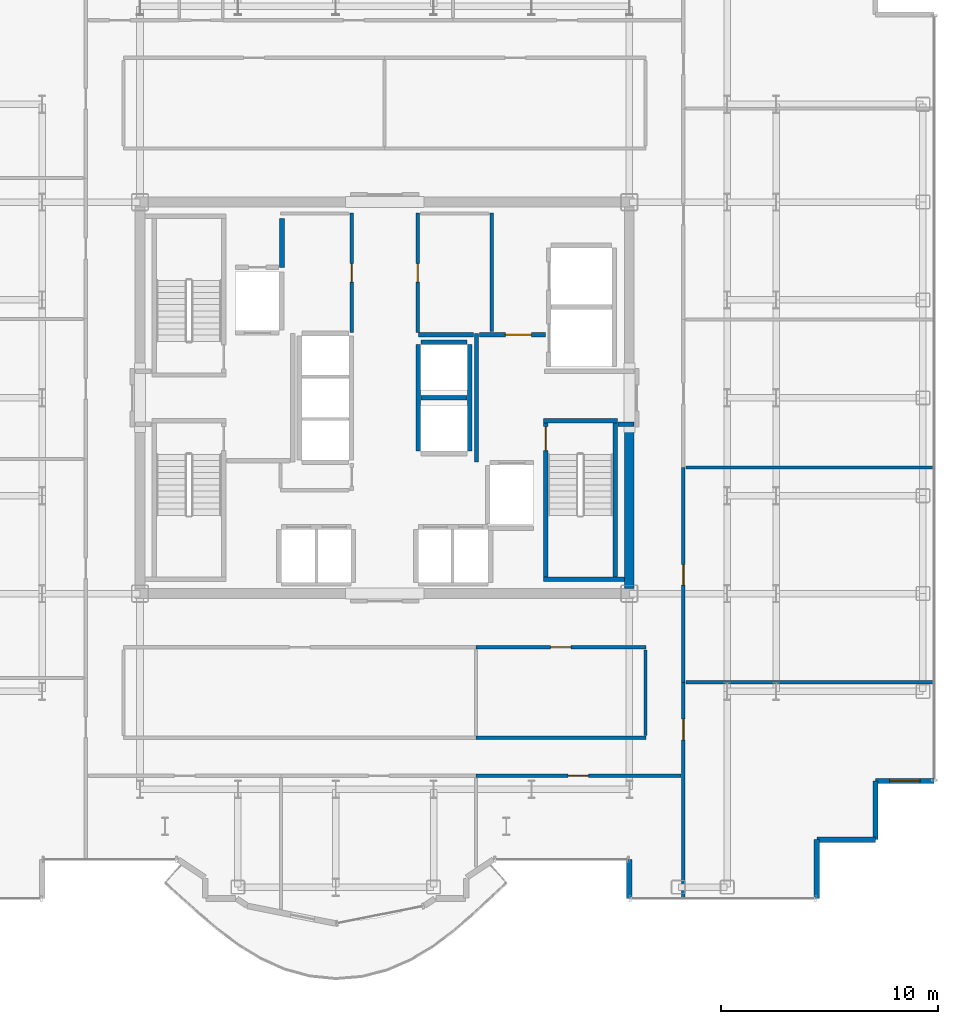
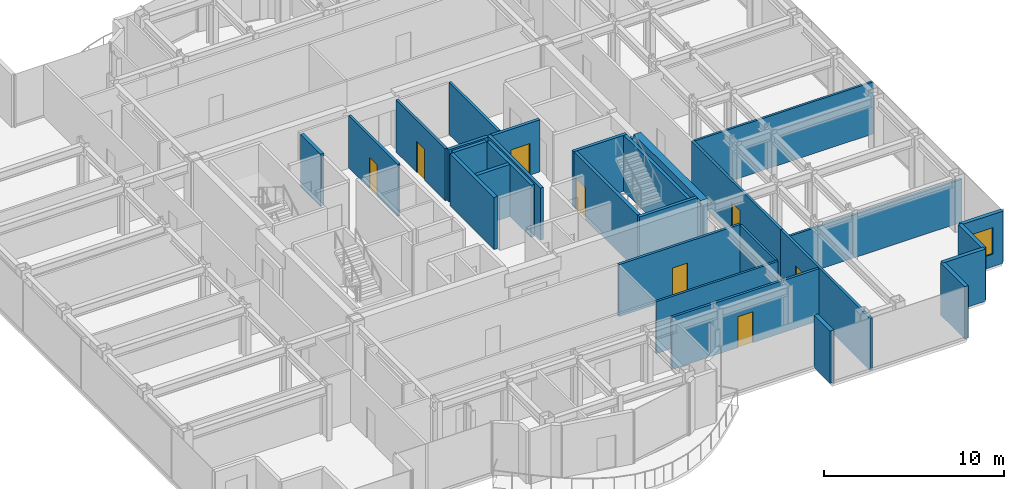
# One storey, part 16 of 20: 30 walls, 8 doors, 1 window, 9 openings.
"""IFC4 building model written with IfcOpenShell, lengths in metres."""

from ifc_helpers import new_model, si_unit, direction, frame, frame_2d, origin, place, context, subcontext, project, spatial, rectangle, extrude, source, transform, mapped, material, layer, layer_set, type_object, element, fill, save


model = new_model("IFC4")

# Units and contexts
model_context = context("Model", 3, precision=1e-05, world=origin(), true_north=direction((0.0, 1.0)))
body_context = subcontext(model_context, "Body", "Model", "MODEL_VIEW")
ifc_project = project(units=[si_unit("LENGTHUNIT", "METRE"), si_unit("AREAUNIT", "SQUARE_METRE"), si_unit("VOLUMEUNIT", "CUBIC_METRE"), si_unit("PLANEANGLEUNIT", "RADIAN"), si_unit("MASSUNIT", "GRAM", prefix="KILO")], contexts=[model_context])

# Site, building, storey
site_placement = place(None, origin())
site = spatial("IfcSite", under=ifc_project, at=site_placement, CompositionType="ELEMENT")
building_placement = place(site_placement, origin())
building = spatial("IfcBuilding", under=site, at=building_placement, Name="Nefas-Gora Pilgrimage Tower", CompositionType="ELEMENT")
storey_placement = place(building_placement, frame((0.0, 0.0, 225.60009765625)))
storey = spatial("IfcBuildingStorey", under=building, at=storey_placement, Name="L56", CompositionType="ELEMENT", Elevation=225.60009765625)

# Walls
ifc_material_1 = material(Name="Concrete C50/60", Category="concrete")
ifc_layer_1 = layer(ifc_material_1, 0.449951171875)
ifc_layer_set_1 = layer_set([ifc_layer_1], Name="Concrete C50/60")
wall_type_1 = type_object("IfcWallType", Name="SW-CORE-450", PredefinedType="SHEAR", material=ifc_layer_set_1)
shared_shape_1 = source(origin(), body_context, "Body", "SweptSolid", [
    extrude(rectangle(XDim=7.4248046875, YDim=0.449951171875, at=frame_2d((3.71240234375, 0.0))), origin(), (0.0, 0.0, 1.0), 3.7998046875),
])
wall_1_placement = place(storey_placement, frame((11.25, -8.77490234375, 0.0), z_axis=(0.0, 0.0, 1.0), x_axis=(0.0, 1.0, 0.0)))
element("IfcWall", 1, at=wall_1_placement, inside=storey, type_object=wall_type_1, Name="L56 Core Shear Wall E-South", PredefinedType="SHEAR", context=body_context, shape_type="MappedRepresentation", body=[
    mapped(shared_shape_1, transform((0.0, 0.0, 0.0), x_axis=(1.0, 0.0, 0.0), y_axis=(0.0, 1.0, 0.0), z_axis=(0.0, 0.0, 1.0), scale=1.0)),
])
ifc_material_2 = material(Name="Precast concrete C40/50", Category="concrete")
ifc_layer_2 = layer(ifc_material_2, 0.260009765625)
ifc_layer_set_2 = layer_set([ifc_layer_2], Name="Precast concrete C40/50")
wall_type_2 = type_object("IfcWallType", Name="EW-PORTAL-260", PredefinedType="SOLIDWALL", material=ifc_layer_set_2)
shared_shape_2 = source(origin(), body_context, "Body", "SweptSolid", [
    extrude(rectangle(XDim=1.800048828125, YDim=0.260009765625, at=frame_2d((0.89990234375, 0.0))), origin(), (0.0, 0.0, 1.0), 3.5498046875),
])
wall_2_placement = place(storey_placement, frame((11.25, -21.219970703125, 0.0), z_axis=(0.0, 0.0, 1.0), x_axis=(0.0, -1.0, 0.0)))
element("IfcWall", 2, at=wall_2_placement, inside=storey, type_object=wall_type_2, Name="L56 Lobe Shoulder Precast Spandrel Pier 1", PredefinedType="SOLIDWALL", context=body_context, shape_type="MappedRepresentation", body=[
    mapped(shared_shape_2, transform((0.0, 0.0, 0.0), x_axis=(1.0, 0.0, 0.0), y_axis=(0.0, 1.0, 0.0), z_axis=(0.0, 0.0, 1.0), scale=1.0)),
])
ifc_material_3 = material(Name="Precast concrete C45/55", Category="concrete")
ifc_layer_3 = layer(ifc_material_3, 0.239990234375)
ifc_layer_set_3 = layer_set([ifc_layer_3], Name="Precast concrete C45/55")
wall_type_3 = type_object("IfcWallType", Name="EW-SERR-240", PredefinedType="SHEAR", material=ifc_layer_set_3)
shared_shape_3 = source(origin(), body_context, "Body", "SweptSolid", [
    extrude(rectangle(XDim=2.699951171875, YDim=0.239990234375, at=frame_2d((1.35009765625, 0.0))), origin(), (0.0, 0.0, 1.0), 3.5498046875),
])
for number, where, z_axis, x_axis, name in (
    (3, (19.8701171875, -23.02001953125, 0.0), (0.0, 0.0, 1.0), (0.0, 1.0, 0.0), "L56 Serrated Corner Shear Pier Wall 2"),
    (4, (19.8701171875, -20.320068359375, 0.0), (0.0, 0.0, 1.0), (1.0, 0.0, 0.0), "L56 Serrated Corner Shear Pier Wall 3"),
    (5, (22.570068359375, -20.320068359375, 0.0), (0.0, 0.0, 1.0), (0.0, 1.0, 0.0), "L56 Serrated Corner Shear Pier Wall 4"),
):
    element("IfcWall", number, at=place(storey_placement, frame(where, z_axis=z_axis, x_axis=x_axis)), inside=storey, type_object=wall_type_3, Name=name, PredefinedType="SHEAR", context=body_context, shape_type="MappedRepresentation", body=[
        mapped(shared_shape_3, transform((0.0, 0.0, 0.0), x_axis=(1.0, 0.0, 0.0), y_axis=(0.0, 1.0, 0.0), z_axis=(0.0, 0.0, 1.0), scale=1.0)),
    ])

# Wall, opening, window
wall_3_placement = place(storey_placement, frame((22.570068359375, -17.6201171875, 0.0), z_axis=(0.0, 0.0, 1.0), x_axis=(1.0, 0.0, 0.0)))
wall_3 = element("IfcWall", 6, at=wall_3_placement, inside=storey, type_object=wall_type_3, Name="L56 Serrated Corner Shear Pier Wall 5", PredefinedType="SHEAR", context=body_context, shape_type="MappedRepresentation", body=[
    mapped(shared_shape_3, transform((0.0, 0.0, 0.0), x_axis=(1.0, 0.0, 0.0), y_axis=(0.0, 1.0, 0.0), z_axis=(0.0, 0.0, 1.0), scale=1.0)),
])
opening_1_placement = place(wall_3_placement, frame((0.64990234375, 0.0, 0.85009765625)))
opening_1 = element("IfcOpeningElement", 7, at=opening_1_placement, cuts=wall_3, Name="Opening W-V2", PredefinedType="OPENING", context=body_context, shape_type="SweptSolid", body=[
    extrude(rectangle(XDim=1.39990234375, YDim=1.800048828125, at=frame_2d((0.699951171875, 0.89990234375))), frame((0.0, 0.1298828125, 0.0), z_axis=(0.0, -1.0, 0.0), x_axis=(1.0, 0.0, 0.0)), (0.0, 0.0, 1.0), 0.260009765625),
])
ifc_material_4 = material(Name="Dark ceramic-fritted operable aluminium-glass window", Category="aluminium")
window_type = type_object("IfcWindowType", Name="WIN-VENT-1400x1800", PartitioningType="SINGLE_PANEL", PredefinedType="WINDOW", material=ifc_material_4)
shared_shape_4 = source(origin(), body_context, "Body", "SweptSolid", [
    extrude(rectangle(XDim=1.39990234375, YDim=1.800048828125, at=frame_2d((0.699951171875, 0.89990234375))), frame((0.0, 0.030029296875, 0.0), z_axis=(0.0, -1.0, 0.0), x_axis=(1.0, 0.0, 0.0)), (0.0, 0.0, 1.0), 0.06005859375),
])
window_placement = place(opening_1_placement, origin())
window = element("IfcWindow", 8, at=window_placement, inside=storey, type_object=window_type, Name="L56 Operable Parallel-Outswing Window 5", OverallHeight=1.800048828125, OverallWidth=1.39990234375, PartitioningType="SINGLE_PANEL", PredefinedType="WINDOW", context=body_context, shape_type="MappedRepresentation", body=[
    mapped(shared_shape_4, transform((0.0, 0.0, 0.0), x_axis=(1.0, 0.0, 0.0), y_axis=(0.0, 1.0, 0.0), z_axis=(0.0, 0.0, 1.0), scale=1.0)),
])
fill(opening_1, window)

# Wall
ifc_material_5 = material(Name="Concrete C45/55", Category="concrete")
ifc_layer_4 = layer(ifc_material_5, 0.199951171875)
ifc_layer_set_4 = layer_set([ifc_layer_4], Name="Concrete C45/55")
wall_type_4 = type_object("IfcWallType", Name="IW-STAIR-200", PredefinedType="SOLIDWALL", material=ifc_layer_set_4)
shared_shape_5 = source(origin(), body_context, "Body", "SweptSolid", [
    extrude(rectangle(XDim=3.39990234375, YDim=0.199951171875, at=frame_2d((1.699951171875, 0.0))), origin(), (0.0, 0.0, 1.0), 3.7998046875),
])
wall_4_placement = place(storey_placement, frame((7.300048828125, -1.050048828125, 0.0), z_axis=(0.0, 0.0, 1.0), x_axis=(1.0, 0.0, 0.0)))
element("IfcWall", 9, at=wall_4_placement, inside=storey, type_object=wall_type_4, Name="L56 Stairwell Shear Wall ST-02-near", PredefinedType="SOLIDWALL", context=body_context, shape_type="MappedRepresentation", body=[
    mapped(shared_shape_5, transform((0.0, 0.0, 0.0), x_axis=(1.0, 0.0, 0.0), y_axis=(0.0, 1.0, 0.0), z_axis=(0.0, 0.0, 1.0), scale=1.0)),
])

# Wall, opening, door
shared_shape_6 = source(origin(), body_context, "Body", "SweptSolid", [
    extrude(rectangle(XDim=7.10009765625, YDim=0.199951171875, at=frame_2d((3.550048828125, 0.0))), origin(), (0.0, 0.0, 1.0), 3.7998046875),
])
wall_5_placement = place(storey_placement, frame((7.39990234375, -1.14990234375, 0.0), z_axis=(0.0, 0.0, 1.0), x_axis=(0.0, -1.0, 0.0)))
wall_5 = element("IfcWall", 10, at=wall_5_placement, inside=storey, type_object=wall_type_4, Name="L56 Stairwell Shear Wall ST-02-left", PredefinedType="SOLIDWALL", context=body_context, shape_type="MappedRepresentation", body=[
    mapped(shared_shape_6, transform((0.0, 0.0, 0.0), x_axis=(1.0, 0.0, 0.0), y_axis=(0.0, 1.0, 0.0), z_axis=(0.0, 0.0, 1.0), scale=1.0)),
])
opening_2_placement = place(wall_5_placement, frame((0.179931640625, 0.0, 0.0)))
opening_2 = element("IfcOpeningElement", 11, at=opening_2_placement, cuts=wall_5, Name="Opening ID-ST1", PredefinedType="OPENING", context=body_context, shape_type="SweptSolid", body=[
    extrude(rectangle(XDim=1.10009765625, YDim=2.14990234375, at=frame_2d((0.550048828125, 1.074951171875))), frame((0.0, 0.10986328125, 0.0), z_axis=(0.0, -1.0, 0.0), x_axis=(1.0, 0.0, 0.0)), (0.0, 0.0, 1.0), 0.219970703125),
])
ifc_material_6 = material(Name="Painted galvanised steel fire stair door", Category="steel")
door_type_1 = type_object("IfcDoorType", Name="DR-INT-STAIR-1100", OperationType="NOTDEFINED", PredefinedType="DOOR", material=ifc_material_6)
shared_shape_7 = source(origin(), body_context, "Body", "SweptSolid", [
    extrude(rectangle(XDim=1.10009765625, YDim=2.14990234375, at=frame_2d((0.550048828125, 1.074951171875))), frame((0.0, 0.02490234375, 0.0), z_axis=(0.0, -1.0, 0.0), x_axis=(1.0, 0.0, 0.0)), (0.0, 0.0, 1.0), 0.050048828125),
])
door_1_placement = place(opening_2_placement, origin())
door_1 = element("IfcDoor", 12, at=door_1_placement, inside=storey, type_object=door_type_1, Name="L56 Protected Exit Stair Door ST-02", OperationType="SINGLE_SWING_LEFT", OverallHeight=2.14990234375, OverallWidth=1.10009765625, PredefinedType="DOOR", context=body_context, shape_type="MappedRepresentation", body=[
    mapped(shared_shape_7, transform((0.0, 0.0, 0.0), x_axis=(1.0, 0.0, 0.0), y_axis=(0.0, 1.0, 0.0), z_axis=(0.0, 0.0, 1.0), scale=1.0)),
])
fill(opening_2, door_1)

# Walls
wall_6_placement = place(storey_placement, frame((10.60009765625, -1.14990234375, 0.0), z_axis=(0.0, 0.0, 1.0), x_axis=(0.0, -1.0, 0.0)))
element("IfcWall", 13, at=wall_6_placement, inside=storey, type_object=wall_type_4, Name="L56 Stairwell Shear Wall ST-02-right", PredefinedType="SOLIDWALL", context=body_context, shape_type="MappedRepresentation", body=[
    mapped(shared_shape_6, transform((0.0, 0.0, 0.0), x_axis=(1.0, 0.0, 0.0), y_axis=(0.0, 1.0, 0.0), z_axis=(0.0, 0.0, 1.0), scale=1.0)),
])
shared_shape_8 = source(origin(), body_context, "Body", "SweptSolid", [
    extrude(rectangle(XDim=3.72998046875, YDim=0.199951171875, at=frame_2d((1.864990234375, 0.0))), origin(), (0.0, 0.0, 1.0), 3.7998046875),
])
wall_7_placement = place(storey_placement, frame((7.300048828125, -8.35009765625, 0.0), z_axis=(0.0, 0.0, 1.0), x_axis=(1.0, 0.0, 0.0)))
element("IfcWall", 14, at=wall_7_placement, inside=storey, type_object=wall_type_4, Name="L56 Stairwell Shear Wall ST-02-far", PredefinedType="SOLIDWALL", context=body_context, shape_type="MappedRepresentation", body=[
    mapped(shared_shape_8, transform((0.0, 0.0, 0.0), x_axis=(1.0, 0.0, 0.0), y_axis=(0.0, 1.0, 0.0), z_axis=(0.0, 0.0, 1.0), scale=1.0)),
])
ifc_material_7 = material(Name="Concrete C40/50", Category="concrete")
ifc_layer_5 = layer(ifc_material_7, 0.219970703125)
ifc_layer_set_5 = layer_set([ifc_layer_5], Name="Concrete C40/50")
wall_type_5 = type_object("IfcWallType", Name="IW-SHAFT-220", PredefinedType="SOLIDWALL", material=ifc_layer_set_5)
shared_shape_9 = source(origin(), body_context, "Body", "SweptSolid", [
    extrude(rectangle(XDim=2.130126953125, YDim=0.219970703125, at=frame_2d((1.06494140625, 0.0))), origin(), (0.0, 0.0, 1.0), 3.534912109375),
])
for number, where, z_axis, x_axis, name in (
    (15, (1.659912109375, 0.0, 0.0), (0.0, 0.0, 1.0), (1.0, 0.0, 0.0), "L56 Hoistway Wall OBS-01-02-DIV"),
    (16, (3.7900390625, 2.56005859375, 0.0), (0.0, 0.0, 1.0), (-1.0, 0.0, 0.0), "L56 Hoistway Wall OBS-02-N"),
):
    element("IfcWall", number, at=place(storey_placement, frame(where, z_axis=z_axis, x_axis=x_axis)), inside=storey, type_object=wall_type_5, Name=name, PredefinedType="SOLIDWALL", context=body_context, shape_type="MappedRepresentation", body=[
        mapped(shared_shape_9, transform((0.0, 0.0, 0.0), x_axis=(1.0, 0.0, 0.0), y_axis=(0.0, 1.0, 0.0), z_axis=(0.0, 0.0, 1.0), scale=1.0)),
    ])
shared_shape_10 = source(origin(), body_context, "Body", "SweptSolid", [
    extrude(rectangle(XDim=4.89990234375, YDim=0.219970703125, at=frame_2d((2.449951171875, 0.0))), origin(), (0.0, 0.0, 1.0), 3.534912109375),
])
for number, where, z_axis, x_axis, name in (
    (17, (1.5400390625, 2.449951171875, 0.0), (0.0, 0.0, 1.0), (0.0, -1.0, 0.0), "L56 Hoistway Wall OBS-01-02-W"),
    (18, (3.909912109375, -2.449951171875, 0.0), (0.0, 0.0, 1.0), (0.0, 1.0, 0.0), "L56 Hoistway Wall OBS-01-02-E"),
):
    element("IfcWall", number, at=place(storey_placement, frame(where, z_axis=z_axis, x_axis=x_axis)), inside=storey, type_object=wall_type_5, Name=name, PredefinedType="SOLIDWALL", context=body_context, shape_type="MappedRepresentation", body=[
        mapped(shared_shape_10, transform((0.0, 0.0, 0.0), x_axis=(1.0, 0.0, 0.0), y_axis=(0.0, 1.0, 0.0), z_axis=(0.0, 0.0, 1.0), scale=1.0)),
    ])
ifc_material_8 = material(Name="Gypsum fire-rated shaftwall")
ifc_layer_6 = layer(ifc_material_8, 0.199951171875)
ifc_layer_set_6 = layer_set([ifc_layer_6], Name="Gypsum fire-rated shaftwall")
wall_type_6 = type_object("IfcWallType", Name="IW-FFLOB-200", PredefinedType="PARTITIONING", material=ifc_layer_set_6)
shared_shape_11 = source(origin(), body_context, "Body", "SweptSolid", [
    extrude(rectangle(XDim=5.89990234375, YDim=0.199951171875, at=frame_2d((2.949951171875, 0.0))), origin(), (0.0, 0.0, 1.0), 3.534912109375),
])
wall_8_placement = place(storey_placement, frame((4.219970703125, -2.949951171875, 0.0), z_axis=(0.0, 0.0, 1.0), x_axis=(0.0, 1.0, 0.0)))
element("IfcWall", 19, at=wall_8_placement, inside=storey, type_object=wall_type_6, Name="L56 FF Lobby East Inner Wall Wall 10", PredefinedType="PARTITIONING", context=body_context, shape_type="MappedRepresentation", body=[
    mapped(shared_shape_11, transform((0.0, 0.0, 0.0), x_axis=(1.0, 0.0, 0.0), y_axis=(0.0, 1.0, 0.0), z_axis=(0.0, 0.0, 1.0), scale=1.0)),
])
shared_shape_12 = source(origin(), body_context, "Body", "SweptSolid", [
    extrude(rectangle(XDim=0.719970703125, YDim=0.199951171875, at=frame_2d((0.35986328125, 0.0))), origin(), (0.0, 0.0, 1.0), 3.534912109375),
])
wall_9_placement = place(storey_placement, frame((10.739990234375, -1.219970703125, 0.0), z_axis=(0.0, 0.0, 1.0), x_axis=(1.0, 0.0, 0.0)))
element("IfcWall", 20, at=wall_9_placement, inside=storey, type_object=wall_type_6, Name="L56 FF Lobby East Throat S Wall 14", PredefinedType="PARTITIONING", context=body_context, shape_type="MappedRepresentation", body=[
    mapped(shared_shape_12, transform((0.0, 0.0, 0.0), x_axis=(1.0, 0.0, 0.0), y_axis=(0.0, 1.0, 0.0), z_axis=(0.0, 0.0, 1.0), scale=1.0)),
])

# Wall, opening, door
shared_shape_13 = source(origin(), body_context, "Body", "SweptSolid", [
    extrude(rectangle(XDim=3.039794921875, YDim=0.199951171875, at=frame_2d((1.52001953125, 0.0))), origin(), (0.0, 0.0, 1.0), 3.534912109375),
])
wall_10_placement = place(storey_placement, frame((4.360107421875, 2.89990234375, 0.0), z_axis=(0.0, 0.0, 1.0), x_axis=(1.0, 0.0, 0.0)))
wall_10 = element("IfcWall", 21, at=wall_10_placement, inside=storey, type_object=wall_type_6, Name="L56 FF Lobby East North Wall Wall 12", PredefinedType="PARTITIONING", context=body_context, shape_type="MappedRepresentation", body=[
    mapped(shared_shape_13, transform((0.0, 0.0, 0.0), x_axis=(1.0, 0.0, 0.0), y_axis=(0.0, 1.0, 0.0), z_axis=(0.0, 0.0, 1.0), scale=1.0)),
])
opening_3_placement = place(wall_10_placement, frame((1.18994140625, 0.0, 0.0)))
opening_3 = element("IfcOpeningElement", 22, at=opening_3_placement, cuts=wall_10, Name="Opening ID-PL1", PredefinedType="OPENING", context=body_context, shape_type="SweptSolid", body=[
    extrude(rectangle(XDim=1.199951171875, YDim=2.14990234375, at=frame_2d((0.60009765625, 1.074951171875))), frame((0.0, 0.10986328125, 0.0), z_axis=(0.0, -1.0, 0.0), x_axis=(1.0, 0.0, 0.0)), (0.0, 0.0, 1.0), 0.219970703125),
])
ifc_material_9 = material(Name="Heavy-duty steel plant room fire door", Category="steel")
door_type_2 = type_object("IfcDoorType", Name="DR-INT-PLANT-1200", OperationType="NOTDEFINED", PredefinedType="DOOR", material=ifc_material_9)
shared_shape_14 = source(origin(), body_context, "Body", "SweptSolid", [
    extrude(rectangle(XDim=1.199951171875, YDim=2.14990234375, at=frame_2d((0.60009765625, 1.074951171875))), frame((0.0, 0.02490234375, 0.0), z_axis=(0.0, -1.0, 0.0), x_axis=(1.0, 0.0, 0.0)), (0.0, 0.0, 1.0), 0.050048828125),
])
door_2_placement = place(opening_3_placement, origin())
door_2 = element("IfcDoor", 23, at=door_2_placement, inside=storey, type_object=door_type_2, Name="L56 Service Lift Lobby Door Door 4", OperationType="SINGLE_SWING_RIGHT", OverallHeight=2.14990234375, OverallWidth=1.199951171875, PredefinedType="DOOR", context=body_context, shape_type="MappedRepresentation", body=[
    mapped(shared_shape_14, transform((0.0, 0.0, 0.0), x_axis=(1.0, 0.0, 0.0), y_axis=(0.0, 1.0, 0.0), z_axis=(0.0, 0.0, 1.0), scale=1.0)),
])
fill(opening_3, door_2)

# Walls
ifc_material_10 = material(Name="Gypsum twin-stud partition")
ifc_layer_7 = layer(ifc_material_10, 0.139892578125)
ifc_layer_set_7 = layer_set([ifc_layer_7], Name="Gypsum twin-stud partition")
wall_type_7 = type_object("IfcWallType", Name="IW-UNIT-140", PredefinedType="PARTITIONING", material=ifc_layer_set_7)
shared_shape_15 = source(origin(), body_context, "Body", "SweptSolid", [
    extrude(rectangle(XDim=11.429931640625, YDim=0.139892578125, at=frame_2d((5.71484375, 0.0))), origin(), (0.0, 0.0, 1.0), 3.534912109375),
])
wall_11_placement = place(storey_placement, frame((13.860107421875, -3.205078125, 0.0), z_axis=(0.0, 0.0, 1.0), x_axis=(1.0, 0.0, 0.0)))
element("IfcWall", 24, at=wall_11_placement, inside=storey, type_object=wall_type_7, Name="L56 Pilgrim Fellowship Seminar Room Partition Wall 39", PredefinedType="PARTITIONING", context=body_context, shape_type="MappedRepresentation", body=[
    mapped(shared_shape_15, transform((0.0, 0.0, 0.0), x_axis=(1.0, 0.0, 0.0), y_axis=(0.0, 1.0, 0.0), z_axis=(0.0, 0.0, 1.0), scale=1.0)),
])
shared_shape_16 = source(origin(), body_context, "Body", "SweptSolid", [
    extrude(rectangle(XDim=3.929931640625, YDim=0.139892578125, at=frame_2d((1.96484375, 0.0))), origin(), (0.0, 0.0, 1.0), 3.534912109375),
])
wall_12_placement = place(storey_placement, frame((12.0, -15.52001953125, 0.0), z_axis=(0.0, 0.0, 1.0), x_axis=(0.0, 1.0, 0.0)))
element("IfcWall", 25, at=wall_12_placement, inside=storey, type_object=wall_type_7, Name="L56 Pastoral Chaplains Counselling Office Partition Wall 68", PredefinedType="PARTITIONING", context=body_context, shape_type="MappedRepresentation", body=[
    mapped(shared_shape_16, transform((0.0, 0.0, 0.0), x_axis=(1.0, 0.0, 0.0), y_axis=(0.0, 1.0, 0.0), z_axis=(0.0, 0.0, 1.0), scale=1.0)),
])
shared_shape_17 = source(origin(), body_context, "Body", "SweptSolid", [
    extrude(rectangle(XDim=2.25, YDim=0.219970703125, at=frame_2d((1.125, 0.0))), origin(), (0.0, 0.0, 1.0), 3.534912109375),
])
wall_13_placement = place(storey_placement, frame((-4.719970703125, 6.0, 0.0), z_axis=(0.0, 0.0, 1.0), x_axis=(0.0, 1.0, 0.0)))
element("IfcWall", 26, at=wall_13_placement, inside=storey, type_object=wall_type_5, Name="L56 Riser Shaft Wall 1", PredefinedType="SOLIDWALL", context=body_context, shape_type="MappedRepresentation", body=[
    mapped(shared_shape_17, transform((0.0, 0.0, 0.0), x_axis=(1.0, 0.0, 0.0), y_axis=(0.0, 1.0, 0.0), z_axis=(0.0, 0.0, 1.0), scale=1.0)),
])
shared_shape_18 = source(origin(), body_context, "Body", "SweptSolid", [
    extrude(rectangle(XDim=2.52001953125, YDim=0.199951171875, at=frame_2d((1.260009765625, 0.0))), origin(), (0.0, 0.0, 1.0), 3.534912109375),
])
wall_14_placement = place(storey_placement, frame((1.56005859375, 2.89990234375, 0.0), z_axis=(0.0, 0.0, 1.0), x_axis=(1.0, 0.0, 0.0)))
element("IfcWall", 27, at=wall_14_placement, inside=storey, type_object=wall_type_6, Name="L56 FF Lobby East North Wall Wall 11", PredefinedType="PARTITIONING", context=body_context, shape_type="MappedRepresentation", body=[
    mapped(shared_shape_18, transform((0.0, 0.0, 0.0), x_axis=(1.0, 0.0, 0.0), y_axis=(0.0, 1.0, 0.0), z_axis=(0.0, 0.0, 1.0), scale=1.0)),
])
ifc_material_11 = material(Name="Gypsum acoustic stud partition")
ifc_layer_8 = layer(ifc_material_11, 0.159912109375)
ifc_layer_set_8 = layer_set([ifc_layer_8], Name="Gypsum acoustic stud partition")
wall_type_8 = type_object("IfcWallType", Name="IW-CORR-160", PredefinedType="PARTITIONING", material=ifc_layer_set_8)
shared_shape_19 = source(origin(), body_context, "Body", "SweptSolid", [
    extrude(rectangle(XDim=5.449951171875, YDim=0.159912109375, at=frame_2d((2.72509765625, 0.0))), origin(), (0.0, 0.0, 1.0), 3.534912109375),
])
wall_15_placement = place(storey_placement, frame((4.919921875, 3.0400390625, 0.0), z_axis=(0.0, 0.0, 1.0), x_axis=(0.0, 1.0, 0.0)))
element("IfcWall", 28, at=wall_15_placement, inside=storey, type_object=wall_type_8, Name="L56 Service Lift Lobby West Wall Wall 17", PredefinedType="PARTITIONING", context=body_context, shape_type="MappedRepresentation", body=[
    mapped(shared_shape_19, transform((0.0, 0.0, 0.0), x_axis=(1.0, 0.0, 0.0), y_axis=(0.0, 1.0, 0.0), z_axis=(0.0, 0.0, 1.0), scale=1.0)),
])

# Wall, opening, door
shared_shape_20 = source(origin(), body_context, "Body", "SweptSolid", [
    extrude(rectangle(XDim=5.47998046875, YDim=0.159912109375, at=frame_2d((2.739990234375, 0.0))), origin(), (0.0, 0.0, 1.0), 3.534912109375),
])
wall_16_placement = place(storey_placement, frame((-1.52001953125, 3.010009765625, 0.0), z_axis=(0.0, 0.0, 1.0), x_axis=(0.0, 1.0, 0.0)))
wall_16 = element("IfcWall", 29, at=wall_16_placement, inside=storey, type_object=wall_type_8, Name="L56 Housekeeping and Linen Store Wall 18", PredefinedType="PARTITIONING", context=body_context, shape_type="MappedRepresentation", body=[
    mapped(shared_shape_20, transform((0.0, 0.0, 0.0), x_axis=(1.0, 0.0, 0.0), y_axis=(0.0, 1.0, 0.0), z_axis=(0.0, 0.0, 1.0), scale=1.0)),
])
opening_4_placement = place(wall_16_placement, frame((2.31494140625, 0.0, 0.0)))
opening_4 = element("IfcOpeningElement", 30, at=opening_4_placement, cuts=wall_16, Name="Opening ID-BT1", PredefinedType="OPENING", context=body_context, shape_type="SweptSolid", body=[
    extrude(rectangle(XDim=0.85009765625, YDim=2.10009765625, at=frame_2d((0.425048828125, 1.050048828125))), frame((0.0, 0.08984375, 0.0), z_axis=(0.0, -1.0, 0.0), x_axis=(1.0, 0.0, 0.0)), (0.0, 0.0, 1.0), 0.179931640625),
])
ifc_material_12 = material(Name="Moisture-resistant fire-rated timber door", Category="wood")
door_type_3 = type_object("IfcDoorType", Name="DR-INT-BATH-850", OperationType="NOTDEFINED", PredefinedType="DOOR", material=ifc_material_12)
shared_shape_21 = source(origin(), body_context, "Body", "SweptSolid", [
    extrude(rectangle(XDim=0.85009765625, YDim=2.10009765625, at=frame_2d((0.425048828125, 1.050048828125))), frame((0.0, 0.02490234375, 0.0), z_axis=(0.0, -1.0, 0.0), x_axis=(1.0, 0.0, 0.0)), (0.0, 0.0, 1.0), 0.050048828125),
])
door_3_placement = place(opening_4_placement, origin())
door_3 = element("IfcDoor", 31, at=door_3_placement, inside=storey, type_object=door_type_3, Name="L56 Housekeeping and Linen Store Door 7", OperationType="SINGLE_SWING_LEFT", OverallHeight=2.10009765625, OverallWidth=0.85009765625, PredefinedType="DOOR", context=body_context, shape_type="MappedRepresentation", body=[
    mapped(shared_shape_21, transform((0.0, 0.0, 0.0), x_axis=(1.0, 0.0, 0.0), y_axis=(0.0, 1.0, 0.0), z_axis=(0.0, 0.0, 1.0), scale=1.0)),
])
fill(opening_4, door_3)

wall_17_placement = place(storey_placement, frame((1.52001953125, 3.010009765625, 0.0), z_axis=(0.0, 0.0, 1.0), x_axis=(0.0, 1.0, 0.0)))
wall_17 = element("IfcWall", 32, at=wall_17_placement, inside=storey, type_object=wall_type_8, Name="L56 Freed Bank-1 Amenity Supply Store Wall 23", PredefinedType="PARTITIONING", context=body_context, shape_type="MappedRepresentation", body=[
    mapped(shared_shape_20, transform((0.0, 0.0, 0.0), x_axis=(1.0, 0.0, 0.0), y_axis=(0.0, 1.0, 0.0), z_axis=(0.0, 0.0, 1.0), scale=1.0)),
])
opening_5_placement = place(wall_17_placement, frame((2.31494140625, 0.0, 0.0)))
opening_5 = element("IfcOpeningElement", 33, at=opening_5_placement, cuts=wall_17, Name="Opening ID-BT1", PredefinedType="OPENING", context=body_context, shape_type="SweptSolid", body=[
    extrude(rectangle(XDim=0.85009765625, YDim=2.10009765625, at=frame_2d((0.425048828125, 1.050048828125))), frame((0.0, 0.08984375, 0.0), z_axis=(0.0, -1.0, 0.0), x_axis=(1.0, 0.0, 0.0)), (0.0, 0.0, 1.0), 0.179931640625),
])
door_4_placement = place(opening_5_placement, origin())
door_4 = element("IfcDoor", 34, at=door_4_placement, inside=storey, type_object=door_type_3, Name="L56 Freed Bank-1 Amenity Supply Store Door 9", OperationType="SINGLE_SWING_LEFT", OverallHeight=2.10009765625, OverallWidth=0.85009765625, PredefinedType="DOOR", context=body_context, shape_type="MappedRepresentation", body=[
    mapped(shared_shape_21, transform((0.0, 0.0, 0.0), x_axis=(1.0, 0.0, 0.0), y_axis=(0.0, 1.0, 0.0), z_axis=(0.0, 0.0, 1.0), scale=1.0)),
])
fill(opening_5, door_4)

# Wall
shared_shape_22 = source(origin(), body_context, "Body", "SweptSolid", [
    extrude(rectangle(XDim=11.429931640625, YDim=0.139892578125, at=frame_2d((5.71484375, 0.0))), origin(), (0.0, 0.0, 1.0), 2.9248046875),
])
wall_18_placement = place(storey_placement, frame((13.860107421875, -13.077392578125, 0.0), z_axis=(0.0, 0.0, 1.0), x_axis=(1.0, 0.0, 0.0)))
element("IfcWall", 35, at=wall_18_placement, inside=storey, type_object=wall_type_7, Name="L56 Pilgrim Fellowship Seminar Room Partition Wall 38", PredefinedType="PARTITIONING", context=body_context, shape_type="MappedRepresentation", body=[
    mapped(shared_shape_22, transform((0.0, 0.0, 0.0), x_axis=(1.0, 0.0, 0.0), y_axis=(0.0, 1.0, 0.0), z_axis=(0.0, 0.0, 1.0), scale=1.0)),
])

# Wall, opening, door
shared_shape_23 = source(origin(), body_context, "Body", "SweptSolid", [
    extrude(rectangle(XDim=9.892333984375, YDim=0.159912109375, at=frame_2d((4.9462890625, 0.0))), origin(), (0.0, 0.0, 1.0), 3.534912109375),
])
wall_19_placement = place(storey_placement, frame((13.739990234375, -13.08740234375, 0.0), z_axis=(0.0, 0.0, 1.0), x_axis=(0.0, 1.0, 0.0)))
wall_19 = element("IfcWall", 36, at=wall_19_placement, inside=storey, type_object=wall_type_8, Name="L56 Pilgrim Fellowship Seminar Room Partition Wall 37", PredefinedType="PARTITIONING", context=body_context, shape_type="MappedRepresentation", body=[
    mapped(shared_shape_23, transform((0.0, 0.0, 0.0), x_axis=(1.0, 0.0, 0.0), y_axis=(0.0, 1.0, 0.0), z_axis=(0.0, 0.0, 1.0), scale=1.0)),
])
opening_6_placement = place(wall_19_placement, frame((4.47119140625, 0.0, 0.0)))
opening_6 = element("IfcOpeningElement", 37, at=opening_6_placement, cuts=wall_19, Name="Opening ID-GR1", PredefinedType="OPENING", context=body_context, shape_type="SweptSolid", body=[
    extrude(rectangle(XDim=0.949951171875, YDim=2.10009765625, at=frame_2d((0.47509765625, 1.050048828125))), frame((0.0, 0.08984375, 0.0), z_axis=(0.0, -1.0, 0.0), x_axis=(1.0, 0.0, 0.0)), (0.0, 0.0, 1.0), 0.179931640625),
])
ifc_material_13 = material(Name="Solid core oak fire-rated guest entrance door")
door_type_4 = type_object("IfcDoorType", Name="DR-INT-GUEST-950", OperationType="NOTDEFINED", PredefinedType="DOOR", material=ifc_material_13)
shared_shape_24 = source(origin(), body_context, "Body", "SweptSolid", [
    extrude(rectangle(XDim=0.949951171875, YDim=2.10009765625, at=frame_2d((0.47509765625, 1.050048828125))), frame((0.0, 0.02490234375, 0.0), z_axis=(0.0, -1.0, 0.0), x_axis=(1.0, 0.0, 0.0)), (0.0, 0.0, 1.0), 0.050048828125),
])
door_5_placement = place(opening_6_placement, origin())
door_5 = element("IfcDoor", 38, at=door_5_placement, inside=storey, type_object=door_type_4, Name="L56 Pilgrim Fellowship Seminar Room Door 16", OperationType="SINGLE_SWING_RIGHT", OverallHeight=2.10009765625, OverallWidth=0.949951171875, PredefinedType="DOOR", context=body_context, shape_type="MappedRepresentation", body=[
    mapped(shared_shape_24, transform((0.0, 0.0, 0.0), x_axis=(1.0, 0.0, 0.0), y_axis=(0.0, 1.0, 0.0), z_axis=(0.0, 0.0, 1.0), scale=1.0)),
])
fill(opening_6, door_5)

shared_shape_25 = source(origin(), body_context, "Body", "SweptSolid", [
    extrude(rectangle(XDim=9.95263671875, YDim=0.159912109375, at=frame_2d((4.976318359375, 0.0))), origin(), (0.0, 0.0, 1.0), 3.534912109375),
])
wall_20_placement = place(storey_placement, frame((13.739990234375, -23.0400390625, 0.0), z_axis=(0.0, 0.0, 1.0), x_axis=(0.0, 1.0, 0.0)))
wall_20 = element("IfcWall", 39, at=wall_20_placement, inside=storey, type_object=wall_type_8, Name="L56 Pilgrim Fellowship Seminar Room Partition Wall 40", PredefinedType="PARTITIONING", context=body_context, shape_type="MappedRepresentation", body=[
    mapped(shared_shape_25, transform((0.0, 0.0, 0.0), x_axis=(1.0, 0.0, 0.0), y_axis=(0.0, 1.0, 0.0), z_axis=(0.0, 0.0, 1.0), scale=1.0)),
])
opening_7_placement = place(wall_20_placement, frame((7.316162109375, 0.0, 0.0)))
opening_7 = element("IfcOpeningElement", 40, at=opening_7_placement, cuts=wall_20, Name="Opening ID-GR1", PredefinedType="OPENING", context=body_context, shape_type="SweptSolid", body=[
    extrude(rectangle(XDim=0.949951171875, YDim=2.10009765625, at=frame_2d((0.47509765625, 1.050048828125))), frame((0.0, 0.08984375, 0.0), z_axis=(0.0, -1.0, 0.0), x_axis=(1.0, 0.0, 0.0)), (0.0, 0.0, 1.0), 0.179931640625),
])
door_6_placement = place(opening_7_placement, origin())
door_6 = element("IfcDoor", 41, at=door_6_placement, inside=storey, type_object=door_type_4, Name="L56 Pilgrim Fellowship Seminar Room Door 17", OperationType="SINGLE_SWING_LEFT", OverallHeight=2.10009765625, OverallWidth=0.949951171875, PredefinedType="DOOR", context=body_context, shape_type="MappedRepresentation", body=[
    mapped(shared_shape_24, transform((0.0, 0.0, 0.0), x_axis=(1.0, 0.0, 0.0), y_axis=(0.0, 1.0, 0.0), z_axis=(0.0, 0.0, 1.0), scale=1.0)),
])
fill(opening_7, door_6)

shared_shape_26 = source(origin(), body_context, "Body", "SweptSolid", [
    extrude(rectangle(XDim=9.425048828125, YDim=0.159912109375, at=frame_2d((4.71240234375, 0.0))), origin(), (0.0, 0.0, 1.0), 3.534912109375),
])
wall_21_placement = place(storey_placement, frame((4.195068359375, -17.3701171875, 0.0), z_axis=(0.0, 0.0, 1.0), x_axis=(1.0, 0.0, 0.0)))
wall_21 = element("IfcWall", 42, at=wall_21_placement, inside=storey, type_object=wall_type_8, Name="L56 Pilgrim Contemplative Lounge Partition Wall 65", PredefinedType="PARTITIONING", context=body_context, shape_type="MappedRepresentation", body=[
    mapped(shared_shape_26, transform((0.0, 0.0, 0.0), x_axis=(1.0, 0.0, 0.0), y_axis=(0.0, 1.0, 0.0), z_axis=(0.0, 0.0, 1.0), scale=1.0)),
])
opening_8_placement = place(wall_21_placement, frame((4.237548828125, 0.0, 0.0)))
opening_8 = element("IfcOpeningElement", 43, at=opening_8_placement, cuts=wall_21, Name="Opening ID-GR1", PredefinedType="OPENING", context=body_context, shape_type="SweptSolid", body=[
    extrude(rectangle(XDim=0.949951171875, YDim=2.10009765625, at=frame_2d((0.47509765625, 1.050048828125))), frame((0.0, 0.08984375, 0.0), z_axis=(0.0, -1.0, 0.0), x_axis=(1.0, 0.0, 0.0)), (0.0, 0.0, 1.0), 0.179931640625),
])
door_7_placement = place(opening_8_placement, origin())
door_7 = element("IfcDoor", 44, at=door_7_placement, inside=storey, type_object=door_type_4, Name="L56 Pilgrim Contemplative Lounge Door 29", OperationType="SINGLE_SWING_LEFT", OverallHeight=2.10009765625, OverallWidth=0.949951171875, PredefinedType="DOOR", context=body_context, shape_type="MappedRepresentation", body=[
    mapped(shared_shape_24, transform((0.0, 0.0, 0.0), x_axis=(1.0, 0.0, 0.0), y_axis=(0.0, 1.0, 0.0), z_axis=(0.0, 0.0, 1.0), scale=1.0)),
])
fill(opening_8, door_7)

shared_shape_27 = source(origin(), body_context, "Body", "SweptSolid", [
    extrude(rectangle(XDim=7.81494140625, YDim=0.159912109375, at=frame_2d((3.907470703125, 0.0))), origin(), (0.0, 0.0, 1.0), 3.534912109375),
])
wall_22_placement = place(storey_placement, frame((4.195068359375, -11.469970703125, 0.0), z_axis=(0.0, 0.0, 1.0), x_axis=(1.0, 0.0, 0.0)))
wall_22 = element("IfcWall", 45, at=wall_22_placement, inside=storey, type_object=wall_type_8, Name="L56 Pastoral Chaplains Counselling Office Partition Wall 66", PredefinedType="PARTITIONING", context=body_context, shape_type="MappedRepresentation", body=[
    mapped(shared_shape_27, transform((0.0, 0.0, 0.0), x_axis=(1.0, 0.0, 0.0), y_axis=(0.0, 1.0, 0.0), z_axis=(0.0, 0.0, 1.0), scale=1.0)),
])
opening_9_placement = place(wall_22_placement, frame((3.4326171875, 0.0, 0.0)))
opening_9 = element("IfcOpeningElement", 46, at=opening_9_placement, cuts=wall_22, Name="Opening ID-GR1", PredefinedType="OPENING", context=body_context, shape_type="SweptSolid", body=[
    extrude(rectangle(XDim=0.949951171875, YDim=2.10009765625, at=frame_2d((0.47509765625, 1.050048828125))), frame((0.0, 0.08984375, 0.0), z_axis=(0.0, -1.0, 0.0), x_axis=(1.0, 0.0, 0.0)), (0.0, 0.0, 1.0), 0.179931640625),
])
door_8_placement = place(opening_9_placement, origin())
door_8 = element("IfcDoor", 47, at=door_8_placement, inside=storey, type_object=door_type_4, Name="L56 Pastoral Chaplains Counselling Office Door 30", OperationType="SINGLE_SWING_RIGHT", OverallHeight=2.10009765625, OverallWidth=0.949951171875, PredefinedType="DOOR", context=body_context, shape_type="MappedRepresentation", body=[
    mapped(shared_shape_24, transform((0.0, 0.0, 0.0), x_axis=(1.0, 0.0, 0.0), y_axis=(0.0, 1.0, 0.0), z_axis=(0.0, 0.0, 1.0), scale=1.0)),
])
fill(opening_9, door_8)

# Wall
shared_shape_28 = source(origin(), body_context, "Body", "SweptSolid", [
    extrude(rectangle(XDim=7.81494140625, YDim=0.139892578125, at=frame_2d((3.907470703125, 0.0))), origin(), (0.0, 0.0, 1.0), 3.534912109375),
])
wall_23_placement = place(storey_placement, frame((4.195068359375, -15.6298828125, 0.0), z_axis=(0.0, 0.0, 1.0), x_axis=(1.0, 0.0, 0.0)))
element("IfcWall", 48, at=wall_23_placement, inside=storey, type_object=wall_type_7, Name="L56 Pastoral Chaplains Counselling Office Partition Wall 67", PredefinedType="PARTITIONING", context=body_context, shape_type="MappedRepresentation", body=[
    mapped(shared_shape_28, transform((0.0, 0.0, 0.0), x_axis=(1.0, 0.0, 0.0), y_axis=(0.0, 1.0, 0.0), z_axis=(0.0, 0.0, 1.0), scale=1.0)),
])

save(model, "model.ifc")
